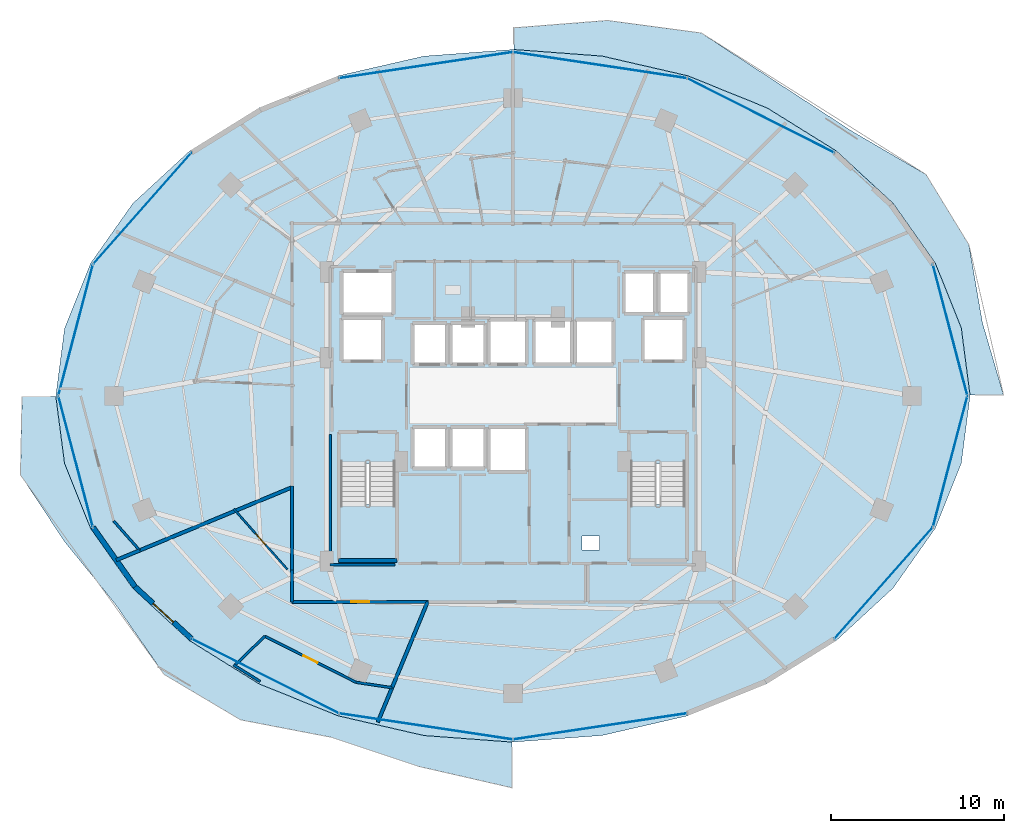
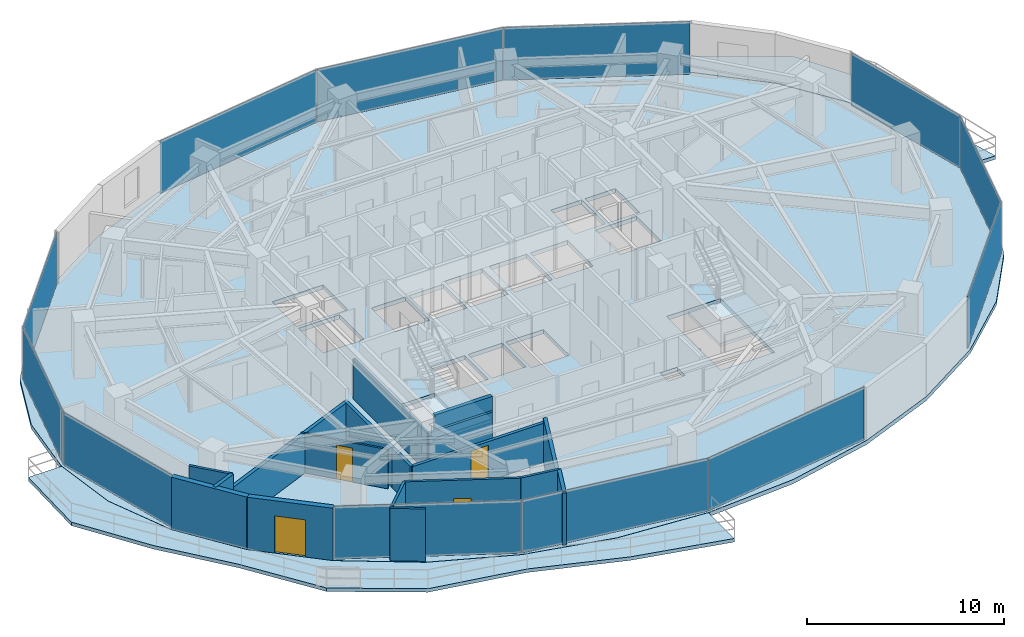
# One storey, part 23 of 31: 18 walls, 12 plates, 5 slabs, 4 doors, 4 openings, 6 elements without a shape of their own.
"""IFC4 building model written with IfcOpenShell, lengths in metres."""

from ifc_helpers import new_model, si_unit, direction, frame, frame_2d, origin, origin_2d, place, context, subcontext, project, spatial, polyline, rectangle, outline, extrude, material, layer, layer_set, type_object, element, fill, aggregate, save


model = new_model("IFC4")

# Units and contexts
model_context = context("Model", 3, precision=1e-05, world=origin(), true_north=direction((0.0, 1.0)))
body_context = subcontext(model_context, "Body", "Model", "MODEL_VIEW")
ifc_project = project(units=[si_unit("LENGTHUNIT", "METRE"), si_unit("AREAUNIT", "SQUARE_METRE"), si_unit("VOLUMEUNIT", "CUBIC_METRE"), si_unit("PLANEANGLEUNIT", "RADIAN"), si_unit("MASSUNIT", "GRAM", prefix="KILO")], contexts=[model_context])

# Site, building, storey
site_placement = place(None, origin())
site = spatial("IfcSite", under=ifc_project, at=site_placement, CompositionType="ELEMENT")
building_placement = place(site_placement, origin())
building = spatial("IfcBuilding", under=site, at=building_placement, Name="Vorneva Point Tower", CompositionType="ELEMENT")
storey_placement = place(building_placement, frame((0.0, 0.0, 99.800048828125)))
storey = spatial("IfcBuildingStorey", under=building, at=storey_placement, Name="L26", CompositionType="ELEMENT", Elevation=99.800048828125)

# Curtain wall, plates
ifc_material_1 = material(Name="Pale anodised aluminium", Category="aluminium")
curtain_wall_type = type_object("IfcCurtainWallType", Name="CW-HTL-SYS", PredefinedType="NOTDEFINED", material=ifc_material_1)
curtain_wall_1_placement = place(storey_placement, origin())
curtain_wall_1 = element("IfcCurtainWall", 1, at=curtain_wall_1_placement, inside=storey, type_object=curtain_wall_type, Name="L26 Unitised Curtain Wall CW-L26-R01", PredefinedType="NOTDEFINED")
ifc_material_2 = material(Name="Double low-e laminated glass IGU", Category="glass")
ifc_layer_1 = layer(ifc_material_2, 0.035888671875)
ifc_layer_set_1 = layer_set([ifc_layer_1], Name="Double low-e laminated glass IGU")
plate_type = type_object("IfcPlateType", Name="CW-PNL-VIS", PredefinedType="CURTAIN_PANEL", material=ifc_layer_set_1)
plate_1_placement = place(storey_placement, frame((59.40673828125, 15.183837890625, -0.02001953125), z_axis=(0.0, 0.0, 1.0), x_axis=(0.662149334693, 0.749371909379, 0.0)))
plate_1 = element("IfcPlate", 2, at=plate_1_placement, type_object=plate_type, Name="CW-L26-R01 Glazed Panel 01", PredefinedType="CURTAIN_PANEL", context=body_context, shape_type="SweptSolid", body=[
    extrude(rectangle(XDim=8.543701171875, YDim=0.035888671875, at=origin_2d()), origin(), (0.0, 0.0, 1.0), 3.280029296875),
])
plate_2_placement = place(storey_placement, frame((63.2509765625, 22.201904296875, -0.02001953125), z_axis=(0.0, 0.0, 1.0), x_axis=(0.254399404995, 0.967099241411, 0.0)))
plate_2 = element("IfcPlate", 3, at=plate_2_placement, type_object=plate_type, Name="CW-L26-R01 Glazed Panel 02", PredefinedType="CURTAIN_PANEL", context=body_context, shape_type="SweptSolid", body=[
    extrude(rectangle(XDim=7.8046875, YDim=0.035888671875, at=origin_2d()), origin(), (0.0, 0.0, 1.0), 3.280029296875),
])
plate_3_placement = place(storey_placement, frame((63.2509765625, 29.798095703125, -0.02001953125), z_axis=(0.0, 0.0, 1.0), x_axis=(-0.254399404995, 0.967099241411, 0.0)))
plate_3 = element("IfcPlate", 4, at=plate_3_placement, type_object=plate_type, Name="CW-L26-R01 Glazed Panel 03", PredefinedType="CURTAIN_PANEL", context=body_context, shape_type="SweptSolid", body=[
    extrude(rectangle(XDim=7.8046875, YDim=0.035888671875, at=origin_2d()), origin(), (0.0, 0.0, 1.0), 3.280029296875),
])
aggregate(curtain_wall_1, [plate_1, plate_2, plate_3])

curtain_wall_2_placement = place(storey_placement, origin())
curtain_wall_2 = element("IfcCurtainWall", 5, at=curtain_wall_2_placement, inside=storey, type_object=curtain_wall_type, Name="L26 Unitised Curtain Wall CW-L26-R02", PredefinedType="NOTDEFINED")
plate_4_placement = place(storey_placement, frame((52.303466796875, 42.1875, -0.02001953125), z_axis=(0.0, 0.0, 1.0), x_axis=(-0.892538597772, 0.450971009585, 0.0)))
plate_4 = element("IfcPlate", 6, at=plate_4_placement, type_object=plate_type, Name="CW-L26-R02 Glazed Panel 01", PredefinedType="CURTAIN_PANEL", context=body_context, shape_type="SweptSolid", body=[
    extrude(rectangle(XDim=9.491455078125, YDim=0.035888671875, at=origin_2d()), origin(), (0.0, 0.0, 1.0), 3.280029296875),
])
plate_5_placement = place(storey_placement, frame((43.022705078125, 45.094482421875, -0.02001953125), z_axis=(0.0, 0.0, 1.0), x_axis=(-0.988876117041, 0.148741470836, 0.0)))
plate_5 = element("IfcPlate", 7, at=plate_5_placement, type_object=plate_type, Name="CW-L26-R02 Glazed Panel 02", PredefinedType="CURTAIN_PANEL", context=body_context, shape_type="SweptSolid", body=[
    extrude(rectangle(XDim=10.1083984375, YDim=0.035888671875, at=origin_2d()), origin(), (0.0, 0.0, 1.0), 3.280029296875),
])
plate_6_placement = place(storey_placement, frame((32.977294921875, 45.094482421875, -0.02001953125), z_axis=(0.0, 0.0, 1.0), x_axis=(-0.988876117041, -0.148741470836, 0.0)))
plate_6 = element("IfcPlate", 8, at=plate_6_placement, type_object=plate_type, Name="CW-L26-R02 Glazed Panel 03", PredefinedType="CURTAIN_PANEL", context=body_context, shape_type="SweptSolid", body=[
    extrude(rectangle(XDim=10.1083984375, YDim=0.035888671875, at=origin_2d()), origin(), (0.0, 0.0, 1.0), 3.280029296875),
])
aggregate(curtain_wall_2, [plate_4, plate_5, plate_6])

curtain_wall_3_placement = place(storey_placement, origin())
curtain_wall_3 = element("IfcCurtainWall", 9, at=curtain_wall_3_placement, inside=storey, type_object=curtain_wall_type, Name="L26 Unitised Curtain Wall CW-L26-R03", PredefinedType="NOTDEFINED")
plate_7_placement = place(storey_placement, frame((16.59326171875, 36.816162109375, -0.02001953125), z_axis=(0.0, 0.0, 1.0), x_axis=(-0.662149334693, -0.749371909379, 0.0)))
plate_7 = element("IfcPlate", 10, at=plate_7_placement, type_object=plate_type, Name="CW-L26-R03 Glazed Panel 01", PredefinedType="CURTAIN_PANEL", context=body_context, shape_type="SweptSolid", body=[
    extrude(rectangle(XDim=8.543701171875, YDim=0.035888671875, at=origin_2d()), origin(), (0.0, 0.0, 1.0), 3.280029296875),
])
plate_8_placement = place(storey_placement, frame((12.7490234375, 29.798095703125, -0.02001953125), z_axis=(0.0, 0.0, 1.0), x_axis=(-0.254399404995, -0.967099241411, 0.0)))
plate_8 = element("IfcPlate", 11, at=plate_8_placement, type_object=plate_type, Name="CW-L26-R03 Glazed Panel 02", PredefinedType="CURTAIN_PANEL", context=body_context, shape_type="SweptSolid", body=[
    extrude(rectangle(XDim=7.8046875, YDim=0.035888671875, at=origin_2d()), origin(), (0.0, 0.0, 1.0), 3.280029296875),
])
plate_9_placement = place(storey_placement, frame((12.7490234375, 22.201904296875, -0.02001953125), z_axis=(0.0, 0.0, 1.0), x_axis=(0.254399404995, -0.967099241411, 0.0)))
plate_9 = element("IfcPlate", 12, at=plate_9_placement, type_object=plate_type, Name="CW-L26-R03 Glazed Panel 03", PredefinedType="CURTAIN_PANEL", context=body_context, shape_type="SweptSolid", body=[
    extrude(rectangle(XDim=7.8046875, YDim=0.035888671875, at=origin_2d()), origin(), (0.0, 0.0, 1.0), 3.280029296875),
])
aggregate(curtain_wall_3, [plate_7, plate_8, plate_9])

curtain_wall_4_placement = place(storey_placement, origin())
curtain_wall_4 = element("IfcCurtainWall", 13, at=curtain_wall_4_placement, inside=storey, type_object=curtain_wall_type, Name="L26 Unitised Curtain Wall CW-L26-R04", PredefinedType="NOTDEFINED")
plate_10_placement = place(storey_placement, frame((23.696533203125, 9.8125, -0.02001953125), z_axis=(0.0, 0.0, 1.0), x_axis=(0.892538597772, -0.450971009585, 0.0)))
plate_10 = element("IfcPlate", 14, at=plate_10_placement, type_object=plate_type, Name="CW-L26-R04 Glazed Panel 01", PredefinedType="CURTAIN_PANEL", context=body_context, shape_type="SweptSolid", body=[
    extrude(rectangle(XDim=9.491455078125, YDim=0.035888671875, at=origin_2d()), origin(), (0.0, 0.0, 1.0), 3.280029296875),
])
plate_11_placement = place(storey_placement, frame((32.977294921875, 6.905517578125, -0.02001953125), z_axis=(0.0, 0.0, 1.0), x_axis=(0.988876117041, -0.148741470836, 0.0)))
plate_11 = element("IfcPlate", 15, at=plate_11_placement, type_object=plate_type, Name="CW-L26-R04 Glazed Panel 02", PredefinedType="CURTAIN_PANEL", context=body_context, shape_type="SweptSolid", body=[
    extrude(rectangle(XDim=10.1083984375, YDim=0.035888671875, at=origin_2d()), origin(), (0.0, 0.0, 1.0), 3.280029296875),
])
plate_12_placement = place(storey_placement, frame((43.022705078125, 6.905517578125, -0.02001953125), z_axis=(0.0, 0.0, 1.0), x_axis=(0.988876117041, 0.148741470836, 0.0)))
plate_12 = element("IfcPlate", 16, at=plate_12_placement, type_object=plate_type, Name="CW-L26-R04 Glazed Panel 03", PredefinedType="CURTAIN_PANEL", context=body_context, shape_type="SweptSolid", body=[
    extrude(rectangle(XDim=10.1083984375, YDim=0.035888671875, at=origin_2d()), origin(), (0.0, 0.0, 1.0), 3.280029296875),
])
aggregate(curtain_wall_4, [plate_10, plate_11, plate_12])

# Slabs
ifc_material_3 = material(Name="Concrete B50 (C40/50)", Category="concrete")
ifc_layer_2 = layer(ifc_material_3, 0.219970703125)
ifc_layer_set_2 = layer_set([ifc_layer_2], Name="Concrete B50 (C40/50)")
slab_type_1 = type_object("IfcSlabType", Name="SLB-BAL-220", PredefinedType="FLOOR", material=ifc_layer_set_2)
slab_1_placement = place(storey_placement, frame((0.0, 0.0, -0.219970703125)))
element("IfcSlab", 17, at=slab_1_placement, inside=storey, type_object=slab_type_1, Name="L26 Cantilevered Wave Balcony NE", PredefinedType="FLOOR", context=body_context, shape_type="SweptSolid", body=[
    extrude(outline(polyline([(38.050048828125, 47.25390625), (38.050048828125, 46.000244140625), (43.150634765625, 45.61962890625), (43.15087890625, 45.61962890625), (43.1513671875, 45.61962890625), (48.103759765625, 44.4814453125), (48.10400390625, 44.4814453125), (48.104248046875, 44.481201171875), (52.668701171875, 42.633056640625), (52.6689453125, 42.633056640625), (52.669189453125, 42.6328125), (56.669677734375, 40.1455078125), (56.669921875, 40.145263671875), (56.67041015625, 40.14501953125), (59.95361328125, 37.1142578125), (59.953857421875, 37.114013671875), (59.9541015625, 37.11376953125), (62.393798828125, 33.656005859375), (62.393798828125, 33.655517578125), (62.39404296875, 33.6552734375), (63.896484375, 29.9033203125), (63.896484375, 29.903076171875), (63.896484375, 29.902587890625), (63.896728515625, 29.90234375), (64.3974609375, 26.050048828125), (66.33544921875, 26.050048828125), (65.11474609375, 30.22265625), (64.33642578125, 34.7177734375), (61.849609375, 38.786376953125), (57.546142578125, 41.302001953125), (53.3720703125, 44.022216796875), (48.88037109375, 46.955078125), (43.461181640625, 47.678955078125), (38.050048828125, 47.25390625)])), origin(), (0.0, 0.0, 1.0), 0.219970703125),
])
slab_2_placement = place(storey_placement, frame((0.0, 0.0, -0.219970703125)))
element("IfcSlab", 18, at=slab_2_placement, inside=storey, type_object=slab_type_1, Name="L26 Cantilevered Wave Balcony SW", PredefinedType="FLOOR", context=body_context, shape_type="SweptSolid", body=[
    extrude(outline(polyline([(37.949951171875, 3.361328125), (37.949951171875, 5.999755859375), (32.849365234375, 6.38037109375), (32.84912109375, 6.38037109375), (32.8486328125, 6.38037109375), (27.896240234375, 7.5185546875), (27.89599609375, 7.5185546875), (27.895751953125, 7.518798828125), (23.331298828125, 9.366943359375), (23.3310546875, 9.366943359375), (23.330810546875, 9.3671875), (19.330322265625, 11.8544921875), (19.330078125, 11.854736328125), (19.32958984375, 11.85498046875), (16.04638671875, 14.8857421875), (16.046142578125, 14.885986328125), (16.0458984375, 14.88623046875), (13.606201171875, 18.343994140625), (13.606201171875, 18.344482421875), (13.60595703125, 18.3447265625), (12.103515625, 22.0966796875), (12.103515625, 22.096923828125), (12.103515625, 22.097412109375), (12.103271484375, 22.09765625), (11.6025390625, 25.949951171875), (9.64892578125, 25.949951171875), (9.55712890625, 21.4287109375), (12.1337890625, 17.539306640625), (15.023193359375, 13.983642578125), (17.85595703125, 9.908935546875), (22.276611328125, 7.28369140625), (27.5068359375, 6.27880859375), (32.579345703125, 4.591064453125), (37.949951171875, 3.361328125)])), origin(), (0.0, 0.0, 1.0), 0.219970703125),
])

# Stair, slab
stair_type = type_object("IfcStairType", Name="ST-DOG-1500", PredefinedType="HALF_TURN_STAIR", material=ifc_material_3)
stair_1_placement = place(storey_placement, origin())
stair_1 = element("IfcStair", 19, at=stair_1_placement, inside=storey, type_object=stair_type, Name="L26 ST1", PredefinedType="HALF_TURN_STAIR")
ifc_layer_3 = layer(ifc_material_3, 0.199951171875)
ifc_layer_set_3 = layer_set([ifc_layer_3], Name="Concrete B50 (C40/50)")
slab_type_2 = type_object("IfcSlabType", Name="SLB-LND-200", PredefinedType="LANDING", material=ifc_layer_set_3)
slab_3_placement = place(storey_placement, frame((0.0, 0.0, 1.550048828125)))
slab_3 = element("IfcSlab", 20, at=slab_3_placement, type_object=slab_type_2, Name="ST1 landing 1", PredefinedType="LANDING", context=body_context, shape_type="SweptSolid", body=[
    extrude(outline(polyline([(27.929931640625, 16.47998046875), (31.320068359375, 16.47998046875), (31.320068359375, 19.72998046875), (27.929931640625, 19.72998046875), (27.929931640625, 16.47998046875)])), origin(), (0.0, 0.0, 1.0), 0.199951171875),
])
aggregate(stair_1, [slab_3])

stair_2_placement = place(storey_placement, origin())
stair_2 = element("IfcStair", 21, at=stair_2_placement, inside=storey, type_object=stair_type, Name="L26 ST2", PredefinedType="HALF_TURN_STAIR")
slab_4_placement = place(storey_placement, frame((0.0, 0.0, 1.550048828125)))
slab_4 = element("IfcSlab", 22, at=slab_4_placement, type_object=slab_type_2, Name="ST2 landing 1", PredefinedType="LANDING", context=body_context, shape_type="SweptSolid", body=[
    extrude(outline(polyline([(44.679931640625, 16.47998046875), (48.070068359375, 16.47998046875), (48.070068359375, 19.72998046875), (44.679931640625, 19.72998046875), (44.679931640625, 16.47998046875)])), origin(), (0.0, 0.0, 1.0), 0.199951171875),
])
aggregate(stair_2, [slab_4])

# Slab
ifc_layer_4 = layer(ifc_material_3, 0.260009765625)
ifc_layer_set_4 = layer_set([ifc_layer_4], Name="Concrete B50 (C40/50)")
slab_type_3 = type_object("IfcSlabType", Name="SLB-TYP-260", PredefinedType="FLOOR", material=ifc_layer_set_4)
slab_5_placement = place(storey_placement, frame((0.0, 0.0, -0.260009765625)))
element("IfcSlab", 23, at=slab_5_placement, inside=storey, type_object=slab_type_3, Name="L26 Structural Floor Plate", PredefinedType="FLOOR", context=body_context, shape_type="SweptSolid", body=[
    extrude(outline(polyline([(64.39990234375, 26.0), (63.892578125, 29.90185546875), (62.390380859375, 33.65380859375), (59.95068359375, 37.111328125), (56.66748046875, 40.14208984375), (52.6669921875, 42.62939453125), (48.102783203125, 44.4775390625), (43.150390625, 45.61572265625), (38.0, 46.0), (32.849609375, 45.61572265625), (27.897216796875, 44.4775390625), (23.3330078125, 42.62939453125), (19.33251953125, 40.14208984375), (16.04931640625, 37.111328125), (13.609619140625, 33.65380859375), (12.107421875, 29.90185546875), (11.60009765625, 26.0), (12.107421875, 22.09814453125), (13.609619140625, 18.34619140625), (16.04931640625, 14.888671875), (19.33251953125, 11.85791015625), (23.3330078125, 9.37060546875), (27.897216796875, 7.5224609375), (32.849609375, 6.38427734375), (38.0, 6.0), (43.150390625, 6.38427734375), (48.102783203125, 7.5224609375), (52.6669921875, 9.37060546875), (56.66748046875, 11.85791015625), (59.95068359375, 14.888671875), (62.390380859375, 18.34619140625), (63.892578125, 22.09814453125), (64.39990234375, 26.0)]), holes=[polyline([(32.199951171875, 27.800048828125), (34.199951171875, 27.800048828125), (34.199951171875, 30.199951171875), (32.199951171875, 30.199951171875), (32.199951171875, 27.800048828125)]), polyline([(34.39990234375, 27.800048828125), (36.39990234375, 27.800048828125), (36.39990234375, 30.199951171875), (34.39990234375, 30.199951171875), (34.39990234375, 27.800048828125)]), polyline([(36.60009765625, 27.800048828125), (38.800048828125, 27.800048828125), (38.800048828125, 30.39990234375), (36.60009765625, 30.39990234375), (36.60009765625, 27.800048828125)]), polyline([(32.199951171875, 21.800048828125), (34.199951171875, 21.800048828125), (34.199951171875, 24.199951171875), (32.199951171875, 24.199951171875), (32.199951171875, 21.800048828125)]), polyline([(34.39990234375, 21.800048828125), (36.39990234375, 21.800048828125), (36.39990234375, 24.199951171875), (34.39990234375, 24.199951171875), (34.39990234375, 21.800048828125)]), polyline([(36.60009765625, 21.60009765625), (38.800048828125, 21.60009765625), (38.800048828125, 24.199951171875), (36.60009765625, 24.199951171875), (36.60009765625, 21.60009765625)]), polyline([(39.199951171875, 27.800048828125), (41.39990234375, 27.800048828125), (41.39990234375, 30.39990234375), (39.199951171875, 30.39990234375), (39.199951171875, 27.800048828125)]), polyline([(41.60009765625, 27.800048828125), (43.800048828125, 27.800048828125), (43.800048828125, 30.39990234375), (41.60009765625, 30.39990234375), (41.60009765625, 27.800048828125)]), polyline([(44.39990234375, 30.739990234375), (46.199951171875, 30.739990234375), (46.199951171875, 33.159912109375), (44.39990234375, 33.159912109375), (44.39990234375, 30.739990234375)]), polyline([(46.39990234375, 30.739990234375), (48.199951171875, 30.739990234375), (48.199951171875, 33.159912109375), (46.39990234375, 33.159912109375), (46.39990234375, 30.739990234375)]), polyline([(28.10009765625, 28.0), (30.5, 28.0), (30.5, 30.5), (28.10009765625, 30.5), (28.10009765625, 28.0)]), polyline([(45.5, 28.0), (47.89990234375, 28.0), (47.89990234375, 30.5), (45.5, 30.5), (45.5, 28.0)]), polyline([(28.10009765625, 30.699951171875), (31.10009765625, 30.699951171875), (31.10009765625, 33.199951171875), (28.10009765625, 33.199951171875), (28.10009765625, 30.699951171875)]), polyline([(28.050048828125, 16.60009765625), (31.199951171875, 16.60009765625), (31.199951171875, 22.080078125), (28.050048828125, 22.080078125), (28.050048828125, 16.60009765625)]), polyline([(44.800048828125, 16.60009765625), (47.949951171875, 16.60009765625), (47.949951171875, 22.080078125), (44.800048828125, 22.080078125), (44.800048828125, 16.60009765625)]), polyline([(42.0, 17.10009765625), (43.0, 17.10009765625), (43.0, 17.89990234375), (42.0, 17.89990234375), (42.0, 17.10009765625)])]), origin(), (0.0, 0.0, 1.0), 0.260009765625),
])

# Wall
ifc_material_4 = material(Name="Precast concrete B50 (C40/50)", Category="concrete")
ifc_layer_5 = layer(ifc_material_4, 0.300048828125)
ifc_layer_set_5 = layer_set([ifc_layer_5], Name="Precast concrete B50 (C40/50)")
wall_type_1 = type_object("IfcWallType", Name="WL-EXT-300", PredefinedType="STANDARD", material=ifc_layer_set_5)
wall_1_placement = place(storey_placement, frame((13.748291015625, 18.40380859375, 0.0), z_axis=(0.0, 0.0, 1.0), x_axis=(0.57716435238, -0.81662801222, 0.0)))
element("IfcWall", 24, at=wall_1_placement, inside=storey, type_object=wall_type_1, Name="L26 Pale-Metal Facade Spandrel Wall 10.1", PredefinedType="STANDARD", context=body_context, shape_type="SweptSolid", body=[
    extrude(rectangle(XDim=4.202392578125, YDim=0.300048828125, at=frame_2d((2.10107421875, 0.0))), origin(), (0.0, 0.0, 1.0), 3.239990234375),
])

# Wall, opening, door
wall_2_placement = place(storey_placement, frame((16.173828125, 14.971923828125, 0.0), z_axis=(0.0, 0.0, 1.0), x_axis=(0.735416718093, -0.677615119924, 0.0)))
wall_2 = element("IfcWall", 25, at=wall_2_placement, inside=storey, type_object=wall_type_1, Name="L26 Pale-Metal Facade Spandrel Wall 10.2", PredefinedType="STANDARD", context=body_context, shape_type="SweptSolid", body=[
    extrude(rectangle(XDim=4.439208984375, YDim=0.300048828125, at=frame_2d((2.2197265625, 0.0))), origin(), (0.0, 0.0, 1.0), 3.239990234375),
])
opening_1_placement = place(wall_2_placement, frame((1.41943359375, 0.0, 0.0)))
opening_1 = element("IfcOpeningElement", 26, at=opening_1_placement, cuts=wall_2, Name="Opening BD-01", PredefinedType="OPENING", context=body_context, shape_type="SweptSolid", body=[
    extrude(rectangle(XDim=1.60009765625, YDim=2.300048828125, at=frame_2d((0.800048828125, 1.14990234375))), frame((0.0, 0.1650390625, 0.0), z_axis=(0.0, -1.0, 0.0), x_axis=(1.0, 0.0, 0.0)), (0.0, 0.0, 1.0), 0.329833984375),
])
door_type_1 = type_object("IfcDoorType", Name="DR-BAL-1600", OperationType="SLIDING_TO_LEFT", PredefinedType="DOOR", material=ifc_material_1)
door_1_placement = place(opening_1_placement, origin())
door_1 = element("IfcDoor", 27, at=door_1_placement, inside=storey, type_object=door_type_1, Name="L26 Balcony Terrace Access Door 10", OperationType="SLIDING_TO_LEFT", OverallHeight=2.300048828125, OverallWidth=1.60009765625, PredefinedType="DOOR", context=body_context, shape_type="SweptSolid", body=[
    extrude(rectangle(XDim=1.60009765625, YDim=2.300048828125, at=frame_2d((0.800048828125, 1.14990234375))), frame((0.0, 0.02490234375, 0.0), z_axis=(0.0, -1.0, 0.0), x_axis=(1.0, 0.0, 0.0)), (0.0, 0.0, 1.0), 0.050048828125),
])
fill(opening_1, door_1)

ifc_material_5 = material(Name="Fire-rated acoustic gypsum stud partition", Category="gypsum")
ifc_layer_6 = layer(ifc_material_5, 0.110107421875)
ifc_layer_set_6 = layer_set([ifc_layer_6], Name="Fire-rated acoustic gypsum stud partition")
wall_type_2 = type_object("IfcWallType", Name="WL-PART-110", PredefinedType="PARTITIONING", material=ifc_layer_set_6)
wall_3_placement = place(storey_placement, frame((24.96875, 15.97021484375, 0.0), z_axis=(0.0, 0.0, 1.0), x_axis=(-0.662106207726, 0.749410014405, 0.0)))
wall_3 = element("IfcWall", 28, at=wall_3_placement, inside=storey, type_object=wall_type_2, Name="L26 Interior Partition 087", PredefinedType="PARTITIONING", context=body_context, shape_type="SweptSolid", body=[
    extrude(rectangle(XDim=4.66455078125, YDim=0.110107421875, at=frame_2d((2.332275390625, 0.0))), origin(), (0.0, 0.0, 1.0), 2.431884765625),
])
opening_2_placement = place(wall_3_placement, frame((1.9072265625, 0.0, 0.0)))
opening_2 = element("IfcOpeningElement", 29, at=opening_2_placement, cuts=wall_3, Name="Opening ID-02", PredefinedType="OPENING", context=body_context, shape_type="SweptSolid", body=[
    extrude(rectangle(XDim=0.85009765625, YDim=2.10009765625, at=frame_2d((0.425048828125, 1.050048828125))), frame((0.0, 0.06982421875, 0.0), z_axis=(0.0, -1.0, 0.0), x_axis=(1.0, 0.0, 0.0)), (0.0, 0.0, 1.0), 0.139892578125),
])
ifc_material_6 = material(Name="Engineered oak fire-rated door leaf", Category="wood")
door_type_2 = type_object("IfcDoorType", Name="DR-BATH-850", OperationType="NOTDEFINED", PredefinedType="DOOR", material=ifc_material_6)
door_2_placement = place(opening_2_placement, origin())
door_2 = element("IfcDoor", 30, at=door_2_placement, inside=storey, type_object=door_type_2, Name="L26 Door Corner Suite L26-08 / En-Suite Bathroom L26-08", OperationType="SINGLE_SWING_RIGHT", OverallHeight=2.10009765625, OverallWidth=0.85009765625, PredefinedType="DOOR", context=body_context, shape_type="SweptSolid", body=[
    extrude(rectangle(XDim=0.85009765625, YDim=2.10009765625, at=frame_2d((0.425048828125, 1.050048828125))), frame((0.0, 0.02490234375, 0.0), z_axis=(0.0, -1.0, 0.0), x_axis=(1.0, 0.0, 0.0)), (0.0, 0.0, 1.0), 0.050048828125),
])
fill(opening_2, door_2)

# Walls
ifc_layer_7 = layer(ifc_material_5, 0.139892578125)
ifc_layer_set_7 = layer_set([ifc_layer_7], Name="Fire-rated acoustic gypsum stud partition")
wall_type_3 = type_object("IfcWallType", Name="WL-PART-140", PredefinedType="PARTITIONING", material=ifc_layer_set_7)
wall_4_placement = place(storey_placement, frame((14.93994140625, 18.77587890625, 0.0), z_axis=(0.0, 0.0, 1.0), x_axis=(0.662288913482, -0.749248553605, 0.0)))
element("IfcWall", 31, at=wall_4_placement, inside=storey, type_object=wall_type_3, Name="L26 Interior Partition 084", PredefinedType="PARTITIONING", context=body_context, shape_type="SweptSolid", body=[
    extrude(rectangle(XDim=2.274169921875, YDim=0.139892578125, at=frame_2d((1.13720703125, 0.0))), origin(), (0.0, 0.0, 1.0), 3.239990234375),
])
wall_5_placement = place(storey_placement, frame((21.8740234375, 10.455078125, 0.0), z_axis=(0.0, 0.0, 1.0), x_axis=(0.849018711668, -0.528362779951, 0.0)))
element("IfcWall", 32, at=wall_5_placement, inside=storey, type_object=wall_type_3, Name="L26 Interior Partition 088", PredefinedType="PARTITIONING", context=body_context, shape_type="SweptSolid", body=[
    extrude(rectangle(XDim=1.79833984375, YDim=0.139892578125, at=frame_2d((0.899169921875, 0.0))), origin(), (0.0, 0.0, 1.0), 3.239990234375),
])
wall_6_placement = place(storey_placement, frame((21.925048828125, 10.423095703125, 0.0), z_axis=(0.0, 0.0, 1.0), x_axis=(0.718353026202, 0.695678754704, 0.0)))
element("IfcWall", 33, at=wall_6_placement, inside=storey, type_object=wall_type_3, Name="L26 Interior Partition 089", PredefinedType="PARTITIONING", context=body_context, shape_type="SweptSolid", body=[
    extrude(rectangle(XDim=2.433349609375, YDim=0.139892578125, at=frame_2d((1.216796875, 0.0))), origin(), (0.0, 0.0, 1.0), 3.239990234375),
])

# Wall, opening, door
wall_7_placement = place(storey_placement, frame((23.673095703125, 12.115966796875, 0.0), z_axis=(0.0, 0.0, 1.0), x_axis=(0.892490283816, -0.451066617357, 0.0)))
wall_7 = element("IfcWall", 34, at=wall_7_placement, inside=storey, type_object=wall_type_3, Name="L26 Interior Partition 090", PredefinedType="PARTITIONING", context=body_context, shape_type="SweptSolid", body=[
    extrude(rectangle(XDim=5.899169921875, YDim=0.139892578125, at=frame_2d((2.94970703125, 0.0))), origin(), (0.0, 0.0, 1.0), 3.239990234375),
])
opening_3_placement = place(wall_7_placement, frame((2.49951171875, 0.0, 0.0)))
opening_3 = element("IfcOpeningElement", 35, at=opening_3_placement, cuts=wall_7, Name="Opening ID-01", PredefinedType="OPENING", context=body_context, shape_type="SweptSolid", body=[
    extrude(rectangle(XDim=0.89990234375, YDim=2.10009765625, at=frame_2d((0.449951171875, 1.050048828125))), frame((0.0, 0.0849609375, 0.0), z_axis=(0.0, -1.0, 0.0), x_axis=(1.0, 0.0, 0.0)), (0.0, 0.0, 1.0), 0.169677734375),
])
door_type_3 = type_object("IfcDoorType", Name="DR-ROOM-900", OperationType="NOTDEFINED", PredefinedType="DOOR", material=ifc_material_6)
door_3_placement = place(opening_3_placement, origin())
door_3 = element("IfcDoor", 36, at=door_3_placement, inside=storey, type_object=door_type_3, Name="L26 Door Corner Suite L26-08 / Suite Sitting Study L26-08", OperationType="SINGLE_SWING_LEFT", OverallHeight=2.10009765625, OverallWidth=0.89990234375, PredefinedType="DOOR", context=body_context, shape_type="SweptSolid", body=[
    extrude(rectangle(XDim=0.89990234375, YDim=2.10009765625, at=frame_2d((0.449951171875, 1.050048828125))), frame((0.0, 0.02490234375, 0.0), z_axis=(0.0, -1.0, 0.0), x_axis=(1.0, 0.0, 0.0)), (0.0, 0.0, 1.0), 0.050048828125),
])
fill(opening_3, door_3)

# Walls
wall_8_placement = place(storey_placement, frame((28.93798828125, 9.455078125, 0.0), z_axis=(0.0, 0.0, 1.0), x_axis=(0.988868142427, -0.148794478708, 0.0)))
element("IfcWall", 37, at=wall_8_placement, inside=storey, type_object=wall_type_3, Name="L26 Interior Partition 091", PredefinedType="PARTITIONING", context=body_context, shape_type="SweptSolid", body=[
    extrude(rectangle(XDim=2.103515625, YDim=0.139892578125, at=frame_2d((1.0517578125, 0.0))), origin(), (0.0, 0.0, 1.0), 3.239990234375),
])
wall_9_placement = place(storey_placement, frame((31.195068359375, 16.239990234375, 0.0), z_axis=(0.0, 0.0, 1.0), x_axis=(-1.0, 0.0, 0.0)))
element("IfcWall", 38, at=wall_9_placement, inside=storey, type_object=wall_type_3, Name="L26 Interior Closure Partition 108", PredefinedType="PARTITIONING", context=body_context, shape_type="SweptSolid", body=[
    extrude(rectangle(XDim=3.7451171875, YDim=0.139892578125, at=frame_2d((1.87255859375, 0.0))), origin(), (0.0, 0.0, 1.0), 2.431884765625),
])
wall_10_placement = place(storey_placement, frame((27.449951171875, 16.239990234375, 0.0), z_axis=(0.0, 0.0, 1.0), x_axis=(0.0, 1.0, 0.0)))
element("IfcWall", 39, at=wall_10_placement, inside=storey, type_object=wall_type_3, Name="L26 Interior Closure Partition 109", PredefinedType="PARTITIONING", context=body_context, shape_type="SweptSolid", body=[
    extrude(rectangle(XDim=7.513916015625, YDim=0.139892578125, at=frame_2d((3.7568359375, 0.0))), origin(), (0.0, 0.0, 1.0), 2.431884765625),
])
ifc_material_7 = material(Name="Autoclaved aerated concrete blockwork", Category="masonry")
ifc_layer_8 = layer(ifc_material_7, 0.179931640625)
ifc_layer_set_8 = layer_set([ifc_layer_8], Name="Autoclaved aerated concrete blockwork")
wall_type_4 = type_object("IfcWallType", Name="WL-PART-180", PredefinedType="PARTITIONING", material=ifc_layer_set_8)
wall_11_placement = place(storey_placement, frame((25.25, 15.952880859375, 0.0), z_axis=(0.0, 0.0, 1.0), x_axis=(0.0, -1.0, 0.0)))
element("IfcWall", 40, at=wall_11_placement, inside=storey, type_object=wall_type_4, Name="L26 Interior Partition 044", PredefinedType="PARTITIONING", context=body_context, shape_type="SweptSolid", body=[
    extrude(rectangle(XDim=1.852783203125, YDim=0.179931640625, at=frame_2d((0.92626953125, 0.0))), origin(), (0.0, 0.0, 1.0), 2.431884765625),
])

# Wall, opening, door
wall_12_placement = place(storey_placement, frame((25.25, 14.10009765625, 0.0), z_axis=(0.0, 0.0, 1.0), x_axis=(1.0, 0.0, 0.0)))
wall_12 = element("IfcWall", 41, at=wall_12_placement, inside=storey, type_object=wall_type_4, Name="L26 Interior Partition 045", PredefinedType="PARTITIONING", context=body_context, shape_type="SweptSolid", body=[
    extrude(rectangle(XDim=7.881103515625, YDim=0.179931640625, at=frame_2d((3.9404296875, 0.0))), origin(), (0.0, 0.0, 1.0), 2.431884765625),
])
opening_4_placement = place(wall_12_placement, frame((3.41552734375, 0.0, 0.0)))
opening_4 = element("IfcOpeningElement", 42, at=opening_4_placement, cuts=wall_12, Name="Opening UD-02", PredefinedType="OPENING", context=body_context, shape_type="SweptSolid", body=[
    extrude(rectangle(XDim=1.050048828125, YDim=2.199951171875, at=frame_2d((0.52490234375, 1.10009765625))), frame((0.0, 0.10498046875, 0.0), z_axis=(0.0, -1.0, 0.0), x_axis=(1.0, 0.0, 0.0)), (0.0, 0.0, 1.0), 0.209716796875),
])
door_type_4 = type_object("IfcDoorType", Name="DR-SUITE-1050", OperationType="NOTDEFINED", PredefinedType="DOOR", material=ifc_material_6)
door_4_placement = place(opening_4_placement, origin())
door_4 = element("IfcDoor", 43, at=door_4_placement, inside=storey, type_object=door_type_4, Name="L26 Door L26 Circulation Corridor / Corner Suite L26-08", OperationType="SINGLE_SWING_RIGHT", OverallHeight=2.199951171875, OverallWidth=1.050048828125, PredefinedType="DOOR", context=body_context, shape_type="SweptSolid", body=[
    extrude(rectangle(XDim=1.050048828125, YDim=2.199951171875, at=frame_2d((0.52490234375, 1.10009765625))), frame((0.0, 0.02490234375, 0.0), z_axis=(0.0, -1.0, 0.0), x_axis=(1.0, 0.0, 0.0)), (0.0, 0.0, 1.0), 0.050048828125),
])
fill(opening_4, door_4)

# Walls
wall_13_placement = place(storey_placement, frame((25.25, 20.7939453125, 0.0), z_axis=(0.0, 0.0, 1.0), x_axis=(0.0, -1.0, 0.0)))
element("IfcWall", 44, at=wall_13_placement, inside=storey, type_object=wall_type_4, Name="L26 Interior Partition 046", PredefinedType="PARTITIONING", context=body_context, shape_type="SweptSolid", body=[
    extrude(rectangle(XDim=4.98095703125, YDim=0.179931640625, at=frame_2d((2.490478515625, 0.0))), origin(), (0.0, 0.0, 1.0), 2.431884765625),
])
ifc_layer_9 = layer(ifc_material_7, 0.199951171875)
ifc_layer_set_9 = layer_set([ifc_layer_9], Name="Autoclaved aerated concrete blockwork")
wall_type_5 = type_object("IfcWallType", Name="WL-PART-200", PredefinedType="PARTITIONING", material=ifc_layer_set_9)
wall_14_placement = place(storey_placement, frame((16.446044921875, 17.072021484375, 0.0), z_axis=(0.0, 0.0, 1.0), x_axis=(0.92387006918, 0.382706278068, 0.0)))
element("IfcWall", 45, at=wall_14_placement, inside=storey, type_object=wall_type_5, Name="L26 Interior Partition 085", PredefinedType="PARTITIONING", context=body_context, shape_type="SweptSolid", body=[
    extrude(rectangle(XDim=9.529541015625, YDim=0.199951171875, at=frame_2d((4.7646484375, 0.0))), origin(), (0.0, 0.0, 1.0), 2.431884765625),
])
wall_15_placement = place(storey_placement, frame((15.089111328125, 16.510009765625, 0.0), z_axis=(0.0, 0.0, 1.0), x_axis=(0.923891226159, 0.382655200183, 0.0)))
element("IfcWall", 46, at=wall_15_placement, inside=storey, type_object=wall_type_5, Name="L26 Interior Partition 086", PredefinedType="PARTITIONING", context=body_context, shape_type="SweptSolid", body=[
    extrude(rectangle(XDim=1.46875, YDim=0.199951171875, at=frame_2d((0.734375, 0.0))), origin(), (0.0, 0.0, 1.0), 3.239990234375),
])
wall_16_placement = place(storey_placement, frame((31.01806640625, 9.14208984375, 0.0), z_axis=(0.0, 0.0, 1.0), x_axis=(0.382572793579, 0.923925352836, 0.0)))
element("IfcWall", 47, at=wall_16_placement, inside=storey, type_object=wall_type_5, Name="L26 Interior Partition 092", PredefinedType="PARTITIONING", context=body_context, shape_type="SweptSolid", body=[
    extrude(rectangle(XDim=5.3662109375, YDim=0.199951171875, at=frame_2d((2.68310546875, 0.0))), origin(), (0.0, 0.0, 1.0), 2.677001953125),
])
wall_17_placement = place(storey_placement, frame((30.19189453125, 7.14892578125, 0.0), z_axis=(0.0, 0.0, 1.0), x_axis=(0.382911401564, 0.923785071622, 0.0)))
element("IfcWall", 48, at=wall_17_placement, inside=storey, type_object=wall_type_5, Name="L26 Interior Partition 093", PredefinedType="PARTITIONING", context=body_context, shape_type="SweptSolid", body=[
    extrude(rectangle(XDim=2.15771484375, YDim=0.199951171875, at=frame_2d((1.078857421875, 0.0))), origin(), (0.0, 0.0, 1.0), 3.239990234375),
])
ifc_layer_10 = layer(ifc_material_3, 0.219970703125)
ifc_layer_set_10 = layer_set([ifc_layer_10], Name="Concrete B50 (C40/50)")
wall_type_6 = type_object("IfcWallType", Name="WL-SHFT-220", PredefinedType="SOLIDWALL", material=ifc_layer_set_10)
wall_18_placement = place(storey_placement, frame((31.31005859375, 16.489990234375, 0.0), z_axis=(0.0, 0.0, 1.0), x_axis=(-1.0, 0.0, 0.0)))
element("IfcWall", 49, at=wall_18_placement, inside=storey, type_object=wall_type_6, Name="L26 Exit Stair ST1 Shaft Wall far", PredefinedType="SOLIDWALL", context=body_context, shape_type="SweptSolid", body=[
    extrude(rectangle(XDim=3.3701171875, YDim=0.219970703125, at=frame_2d((1.68505859375, 0.0))), origin(), (0.0, 0.0, 1.0), 3.239990234375),
])

save(model, "model.ifc")
